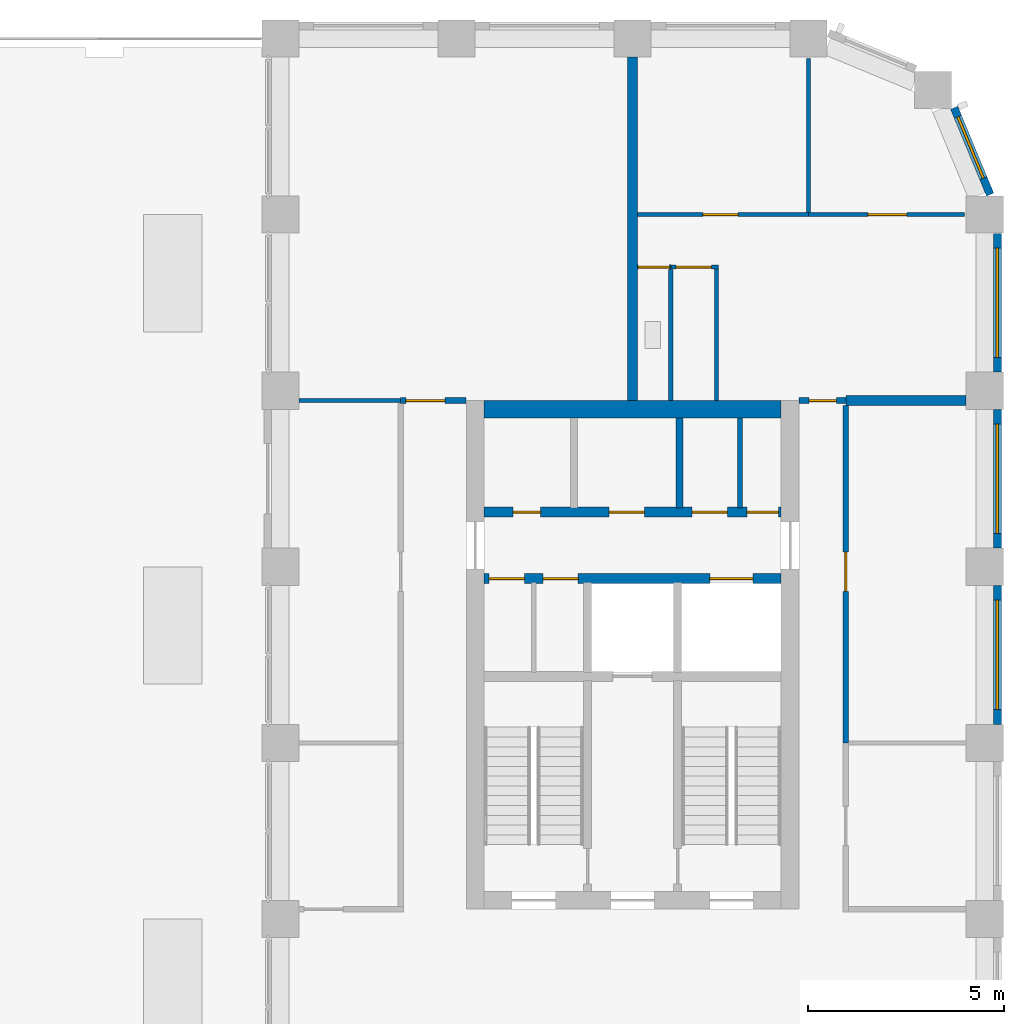
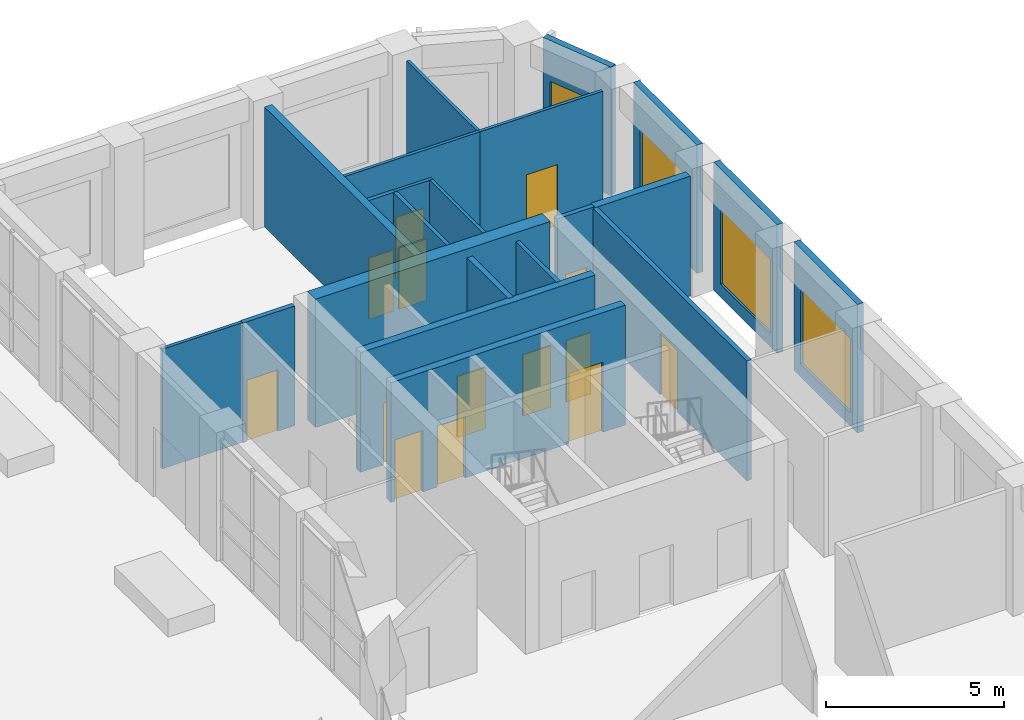
# One storey, part 15 of 20: 22 walls, 14 doors, 4 windows, 18 openings.
"""IFC4 building model written with IfcOpenShell, lengths in metres."""

from ifc_helpers import new_model, si_unit, direction, frame, frame_2d, origin, place, context, subcontext, project, spatial, rectangle, extrude, material, layer, layer_set, type_object, element, fill, save


model = new_model("IFC4")

# Units and contexts
model_context = context("Model", 3, precision=1e-05, world=origin(), true_north=direction((0.0, 1.0)))
body_context = subcontext(model_context, "Body", "Model", "MODEL_VIEW")
ifc_project = project(units=[si_unit("LENGTHUNIT", "METRE"), si_unit("AREAUNIT", "SQUARE_METRE"), si_unit("VOLUMEUNIT", "CUBIC_METRE"), si_unit("PLANEANGLEUNIT", "RADIAN"), si_unit("MASSUNIT", "GRAM", prefix="KILO")], contexts=[model_context])

# Site, building, storey
site_placement = place(None, origin())
site = spatial("IfcSite", under=ifc_project, at=site_placement, CompositionType="ELEMENT")
building_placement = place(site_placement, origin())
building = spatial("IfcBuilding", under=site, at=building_placement, Name="Girih Gate Residences", CompositionType="ELEMENT")
storey_placement = place(building_placement, frame((0.0, 0.0, 146.199951171875)))
storey = spatial("IfcBuildingStorey", under=building, at=storey_placement, Name="L41", CompositionType="ELEMENT", Elevation=146.199951171875)

# Walls
ifc_material_1 = material(Name="Gypsum board on steel studs", Category="steel")
ifc_layer_1 = layer(ifc_material_1, 0.25)
ifc_layer_set_1 = layer_set([ifc_layer_1], Name="Acoustic separating wall 250 mm")
wall_type_1 = type_object("IfcWallType", Name="Acoustic separating wall 250 mm", PredefinedType="PARTITIONING", material=ifc_layer_set_1)
wall_1_placement = place(storey_placement, frame((40.5, 40.25, 0.0), z_axis=(0.0, 0.0, 1.0), x_axis=(0.0, 1.0, 0.0)))
element("IfcWall", 1, at=wall_1_placement, inside=storey, type_object=wall_type_1, Name="L41 partition", PredefinedType="PARTITIONING", context=body_context, shape_type="SweptSolid", body=[
    extrude(rectangle(XDim=8.77490234375, YDim=0.25, at=frame_2d((4.387451171875, 0.0))), origin(), (0.0, 0.0, 1.0), 4.10009765625),
])
wall_2_placement = place(storey_placement, frame((45.949951171875, 40.25, 0.0), z_axis=(0.0, 0.0, 1.0), x_axis=(1.0, 0.0, 0.0)))
element("IfcWall", 2, at=wall_2_placement, inside=storey, type_object=wall_type_1, Name="L41 partition", PredefinedType="PARTITIONING", context=body_context, shape_type="SweptSolid", body=[
    extrude(rectangle(XDim=3.074951171875, YDim=0.25, at=frame_2d((1.53759765625, 0.0))), origin(), (0.0, 0.0, 1.0), 4.10009765625),
])

# Wall, opening, door
ifc_layer_2 = layer(ifc_material_1, 0.14990234375)
ifc_layer_set_2 = layer_set([ifc_layer_2], Name="Compartment wall 150 mm")
wall_type_2 = type_object("IfcWallType", Name="Compartment wall 150 mm", PredefinedType="PARTITIONING", material=ifc_layer_set_2)
wall_3_placement = place(storey_placement, frame((44.75, 40.25, 0.0), z_axis=(0.0, 0.0, 1.0), x_axis=(1.0, 0.0, 0.0)))
wall_3 = element("IfcWall", 3, at=wall_3_placement, inside=storey, type_object=wall_type_2, Name="L41 partition", PredefinedType="PARTITIONING", context=body_context, shape_type="SweptSolid", body=[
    extrude(rectangle(XDim=1.199951171875, YDim=0.14990234375, at=frame_2d((0.60009765625, 0.0))), origin(), (0.0, 0.0, 1.0), 4.10009765625),
])
opening_1_placement = place(wall_3_placement, frame((0.260009765625, 0.0, 0.0)))
opening_1 = element("IfcOpeningElement", 4, at=opening_1_placement, cuts=wall_3, Name="Opening A41-026", PredefinedType="OPENING", context=body_context, shape_type="SweptSolid", body=[
    extrude(rectangle(XDim=0.699951171875, YDim=2.10009765625, at=frame_2d((0.35009765625, 1.050048828125))), frame((0.0, 0.0849609375, 0.0), z_axis=(0.0, -1.0, 0.0), x_axis=(1.0, 0.0, 0.0)), (0.0, 0.0, 1.0), 0.169921875),
])
ifc_material_2 = material(Name="Timber", Category="wood")
door_type_1 = type_object("IfcDoorType", Name="Narrow door 700x2100", OperationType="NOTDEFINED", PredefinedType="DOOR", material=ifc_material_2)
door_1_placement = place(opening_1_placement, origin())
door_1 = element("IfcDoor", 5, at=door_1_placement, inside=storey, type_object=door_type_1, Name="Door A41-026", OperationType="SINGLE_SWING_RIGHT", OverallHeight=2.10009765625, OverallWidth=0.699951171875, PredefinedType="DOOR", context=body_context, shape_type="SweptSolid", body=[
    extrude(rectangle(XDim=0.699951171875, YDim=2.10009765625, at=frame_2d((0.35009765625, 1.050048828125))), frame((0.0, 0.02490234375, 0.0), z_axis=(0.0, -1.0, 0.0), x_axis=(1.0, 0.0, 0.0)), (0.0, 0.0, 1.0), 0.050048828125),
])
fill(opening_1, door_1)

wall_4_placement = place(storey_placement, frame((34.574951171875, 40.25, 0.0), z_axis=(0.0, 0.0, 1.0), x_axis=(1.0, 0.0, 0.0)))
wall_4 = element("IfcWall", 6, at=wall_4_placement, inside=storey, type_object=wall_type_2, Name="L41 partition", PredefinedType="PARTITIONING", context=body_context, shape_type="SweptSolid", body=[
    extrude(rectangle(XDim=1.675048828125, YDim=0.14990234375, at=frame_2d((0.83740234375, 0.0))), origin(), (0.0, 0.0, 1.0), 4.10009765625),
])
opening_2_placement = place(wall_4_placement, frame((0.1298828125, 0.0, 0.0)))
opening_2 = element("IfcOpeningElement", 7, at=opening_2_placement, cuts=wall_4, Name="Opening A41-033", PredefinedType="OPENING", context=body_context, shape_type="SweptSolid", body=[
    extrude(rectangle(XDim=1.0, YDim=2.10009765625, at=frame_2d((0.5, 1.050048828125))), frame((0.0, 0.0849609375, 0.0), z_axis=(0.0, -1.0, 0.0), x_axis=(1.0, 0.0, 0.0)), (0.0, 0.0, 1.0), 0.169921875),
])
ifc_material_3 = material(Name="Timber, fire-rated core", Category="wood")
door_type_2 = type_object("IfcDoorType", Name="Amenity room door 1000x2100 FD30S", OperationType="NOTDEFINED", PredefinedType="DOOR", material=ifc_material_3)
door_2_placement = place(opening_2_placement, origin())
door_2 = element("IfcDoor", 8, at=door_2_placement, inside=storey, type_object=door_type_2, Name="Door A41-033", OperationType="SINGLE_SWING_LEFT", OverallHeight=2.10009765625, OverallWidth=1.0, PredefinedType="DOOR", context=body_context, shape_type="SweptSolid", body=[
    extrude(rectangle(XDim=1.0, YDim=2.10009765625, at=frame_2d((0.5, 1.050048828125))), frame((0.0, 0.02490234375, 0.0), z_axis=(0.0, -1.0, 0.0), x_axis=(1.0, 0.0, 0.0)), (0.0, 0.0, 1.0), 0.050048828125),
])
fill(opening_2, door_2)

wall_5_placement = place(storey_placement, frame((45.949951171875, 40.125, 0.0), z_axis=(0.0, 0.0, 1.0), x_axis=(0.0, -1.0, 0.0)))
wall_5 = element("IfcWall", 9, at=wall_5_placement, inside=storey, type_object=wall_type_2, Name="L41 partition", PredefinedType="PARTITIONING", context=body_context, shape_type="SweptSolid", body=[
    extrude(rectangle(XDim=8.625, YDim=0.14990234375, at=frame_2d((4.3125, 0.0))), origin(), (0.0, 0.0, 1.0), 4.10009765625),
])
opening_3_placement = place(wall_5_placement, frame((3.75, 0.0, 0.0)))
opening_3 = element("IfcOpeningElement", 10, at=opening_3_placement, cuts=wall_5, Name="Opening A41-038", PredefinedType="OPENING", context=body_context, shape_type="SweptSolid", body=[
    extrude(rectangle(XDim=1.0, YDim=2.10009765625, at=frame_2d((0.5, 1.050048828125))), frame((0.0, 0.0849609375, 0.0), z_axis=(0.0, -1.0, 0.0), x_axis=(1.0, 0.0, 0.0)), (0.0, 0.0, 1.0), 0.169921875),
])
door_3_placement = place(opening_3_placement, origin())
door_3 = element("IfcDoor", 11, at=door_3_placement, inside=storey, type_object=door_type_2, Name="Door A41-038", OperationType="SINGLE_SWING_LEFT", OverallHeight=2.10009765625, OverallWidth=1.0, PredefinedType="DOOR", context=body_context, shape_type="SweptSolid", body=[
    extrude(rectangle(XDim=1.0, YDim=2.10009765625, at=frame_2d((0.5, 1.050048828125))), frame((0.0, 0.02490234375, 0.0), z_axis=(0.0, -1.0, 0.0), x_axis=(1.0, 0.0, 0.0)), (0.0, 0.0, 1.0), 0.050048828125),
])
fill(opening_3, door_3)

# Wall
ifc_material_4 = material(Name="Concrete C60/75", Category="concrete")
ifc_layer_3 = layer(ifc_material_4, 0.449951171875)
ifc_layer_set_3 = layer_set([ifc_layer_3], Name="Core wall RC 450 Concrete C60/75")
wall_type_3 = type_object("IfcWallType", Name="Core wall RC 450 Concrete C60/75", PredefinedType="SOLIDWALL", material=ifc_layer_set_3)
wall_6_placement = place(storey_placement, frame((36.699951171875, 40.02490234375, 0.0), z_axis=(0.0, 0.0, 1.0), x_axis=(1.0, 0.0, 0.0)))
element("IfcWall", 12, at=wall_6_placement, inside=storey, type_object=wall_type_3, Name="Core wall E-N L41", PredefinedType="SOLIDWALL", context=body_context, shape_type="SweptSolid", body=[
    extrude(rectangle(XDim=7.60009765625, YDim=0.449951171875, at=frame_2d((3.800048828125, 0.0))), origin(), (0.0, 0.0, 1.0), 4.400146484375),
])

# Wall, openings, doors
ifc_material_5 = material(Name="Concrete C40/50", Category="concrete")
ifc_layer_4 = layer(ifc_material_5, 0.25)
ifc_layer_set_4 = layer_set([ifc_layer_4], Name="Lift shaft wall 250")
wall_type_4 = type_object("IfcWallType", Name="Lift shaft wall 250", PredefinedType="SOLIDWALL", material=ifc_layer_set_4)
wall_7_placement = place(storey_placement, frame((36.699951171875, 35.699951171875, 0.0), z_axis=(0.0, 0.0, 1.0), x_axis=(1.0, 0.0, 0.0)))
wall_7 = element("IfcWall", 13, at=wall_7_placement, inside=storey, type_object=wall_type_4, Name="L41 E core wall H2", PredefinedType="SOLIDWALL", context=body_context, shape_type="SweptSolid", body=[
    extrude(rectangle(XDim=7.60009765625, YDim=0.25, at=frame_2d((3.800048828125, 0.0))), origin(), (0.0, 0.0, 1.0), 4.10009765625),
])
opening_4_placement = place(wall_7_placement, frame((5.77490234375, 0.0, 0.0)))
opening_4 = element("IfcOpeningElement", 14, at=opening_4_placement, cuts=wall_7, Name="Opening D-L41-E-003", PredefinedType="OPENING", context=body_context, shape_type="SweptSolid", body=[
    extrude(rectangle(XDim=1.10009765625, YDim=2.39990234375, at=frame_2d((0.550048828125, 1.199951171875))), frame((0.0, 0.135009765625, 0.0), z_axis=(0.0, -1.0, 0.0), x_axis=(1.0, 0.0, 0.0)), (0.0, 0.0, 1.0), 0.27001953125),
])
opening_5_placement = place(wall_7_placement, frame((1.512451171875, 0.0, 0.0)))
opening_5 = element("IfcOpeningElement", 15, at=opening_5_placement, cuts=wall_7, Name="Opening D-L41-E-006", PredefinedType="OPENING", context=body_context, shape_type="SweptSolid", body=[
    extrude(rectangle(XDim=0.89990234375, YDim=2.10009765625, at=frame_2d((0.449951171875, 1.050048828125))), frame((0.0, 0.135009765625, 0.0), z_axis=(0.0, -1.0, 0.0), x_axis=(1.0, 0.0, 0.0)), (0.0, 0.0, 1.0), 0.27001953125),
])
opening_6_placement = place(wall_7_placement, frame((0.137451171875, 0.0, 0.0)))
opening_6 = element("IfcOpeningElement", 16, at=opening_6_placement, cuts=wall_7, Name="Opening D-L41-E-007", PredefinedType="OPENING", context=body_context, shape_type="SweptSolid", body=[
    extrude(rectangle(XDim=0.89990234375, YDim=2.10009765625, at=frame_2d((0.449951171875, 1.050048828125))), frame((0.0, 0.135009765625, 0.0), z_axis=(0.0, -1.0, 0.0), x_axis=(1.0, 0.0, 0.0)), (0.0, 0.0, 1.0), 0.27001953125),
])
ifc_material_6 = material(Name="Painted steel, fire-resisting", Category="steel")
door_type_3 = type_object("IfcDoorType", Name="Fire door 900x2100", OperationType="SINGLE_SWING_LEFT", PredefinedType="DOOR", material=ifc_material_6)
door_4_placement = place(opening_5_placement, origin())
door_4 = element("IfcDoor", 17, at=door_4_placement, inside=storey, type_object=door_type_3, Name="L41 E linen store door", OperationType="SINGLE_SWING_LEFT", OverallHeight=2.10009765625, OverallWidth=0.89990234375, PredefinedType="DOOR", context=body_context, shape_type="SweptSolid", body=[
    extrude(rectangle(XDim=0.89990234375, YDim=2.10009765625, at=frame_2d((0.449951171875, 1.050048828125))), frame((0.0, 0.02490234375, 0.0), z_axis=(0.0, -1.0, 0.0), x_axis=(1.0, 0.0, 0.0)), (0.0, 0.0, 1.0), 0.050048828125),
])
fill(opening_5, door_4)
door_5_placement = place(opening_6_placement, origin())
door_5 = element("IfcDoor", 18, at=door_5_placement, inside=storey, type_object=door_type_3, Name="L41 E store door", OperationType="SINGLE_SWING_LEFT", OverallHeight=2.10009765625, OverallWidth=0.89990234375, PredefinedType="DOOR", context=body_context, shape_type="SweptSolid", body=[
    extrude(rectangle(XDim=0.89990234375, YDim=2.10009765625, at=frame_2d((0.449951171875, 1.050048828125))), frame((0.0, 0.02490234375, 0.0), z_axis=(0.0, -1.0, 0.0), x_axis=(1.0, 0.0, 0.0)), (0.0, 0.0, 1.0), 0.050048828125),
])
fill(opening_6, door_5)
ifc_material_7 = material(Name="Stainless steel", Category="steel")
door_type_4 = type_object("IfcDoorType", Name="Lift landing door 1100x2400", OperationType="SLIDING_TO_LEFT", PredefinedType="DOOR", material=ifc_material_7)
door_6_placement = place(opening_4_placement, origin())
door_6 = element("IfcDoor", 19, at=door_6_placement, inside=storey, type_object=door_type_4, Name="L41 lift HR-E1 landing door", OperationType="SLIDING_TO_LEFT", OverallHeight=2.39990234375, OverallWidth=1.10009765625, PredefinedType="DOOR", context=body_context, shape_type="SweptSolid", body=[
    extrude(rectangle(XDim=1.10009765625, YDim=2.39990234375, at=frame_2d((0.550048828125, 1.199951171875))), frame((0.0, 0.02490234375, 0.0), z_axis=(0.0, -1.0, 0.0), x_axis=(1.0, 0.0, 0.0)), (0.0, 0.0, 1.0), 0.050048828125),
])
fill(opening_4, door_6)

wall_8_placement = place(storey_placement, frame((36.699951171875, 37.39990234375, 0.0), z_axis=(0.0, 0.0, 1.0), x_axis=(1.0, 0.0, 0.0)))
wall_8 = element("IfcWall", 20, at=wall_8_placement, inside=storey, type_object=wall_type_4, Name="L41 E core wall H3", PredefinedType="SOLIDWALL", context=body_context, shape_type="SweptSolid", body=[
    extrude(rectangle(XDim=7.60009765625, YDim=0.25, at=frame_2d((3.800048828125, 0.0))), origin(), (0.0, 0.0, 1.0), 4.10009765625),
])
opening_7_placement = place(wall_8_placement, frame((0.75, 0.0, 0.0)))
opening_7 = element("IfcOpeningElement", 21, at=opening_7_placement, cuts=wall_8, Name="Opening D-L41-E-005", PredefinedType="OPENING", context=body_context, shape_type="SweptSolid", body=[
    extrude(rectangle(XDim=0.699951171875, YDim=2.10009765625, at=frame_2d((0.35009765625, 1.050048828125))), frame((0.0, 0.135009765625, 0.0), z_axis=(0.0, -1.0, 0.0), x_axis=(1.0, 0.0, 0.0)), (0.0, 0.0, 1.0), 0.27001953125),
])
opening_8_placement = place(wall_8_placement, frame((6.72509765625, 0.0, 0.0)))
opening_8 = element("IfcOpeningElement", 22, at=opening_8_placement, cuts=wall_8, Name="Opening D-L41-E-008", PredefinedType="OPENING", context=body_context, shape_type="SweptSolid", body=[
    extrude(rectangle(XDim=0.800048828125, YDim=2.10009765625, at=frame_2d((0.39990234375, 1.050048828125))), frame((0.0, 0.135009765625, 0.0), z_axis=(0.0, -1.0, 0.0), x_axis=(1.0, 0.0, 0.0)), (0.0, 0.0, 1.0), 0.27001953125),
])
opening_9_placement = place(wall_8_placement, frame((5.324951171875, 0.0, 0.0)))
opening_9 = element("IfcOpeningElement", 23, at=opening_9_placement, cuts=wall_8, Name="Opening D-L41-E-009", PredefinedType="OPENING", context=body_context, shape_type="SweptSolid", body=[
    extrude(rectangle(XDim=0.89990234375, YDim=2.10009765625, at=frame_2d((0.449951171875, 1.050048828125))), frame((0.0, 0.135009765625, 0.0), z_axis=(0.0, -1.0, 0.0), x_axis=(1.0, 0.0, 0.0)), (0.0, 0.0, 1.0), 0.27001953125),
])
opening_10_placement = place(wall_8_placement, frame((3.199951171875, 0.0, 0.0)))
opening_10 = element("IfcOpeningElement", 24, at=opening_10_placement, cuts=wall_8, Name="Opening D-L41-E-010", PredefinedType="OPENING", context=body_context, shape_type="SweptSolid", body=[
    extrude(rectangle(XDim=0.89990234375, YDim=2.10009765625, at=frame_2d((0.449951171875, 1.050048828125))), frame((0.0, 0.135009765625, 0.0), z_axis=(0.0, -1.0, 0.0), x_axis=(1.0, 0.0, 0.0)), (0.0, 0.0, 1.0), 0.27001953125),
])
door_type_5 = type_object("IfcDoorType", Name="Fire door 800x2100", OperationType="SINGLE_SWING_LEFT", PredefinedType="DOOR", material=ifc_material_6)
door_7_placement = place(opening_8_placement, origin())
door_7 = element("IfcDoor", 25, at=door_7_placement, inside=storey, type_object=door_type_5, Name="L41 E housekeeping store door", OperationType="SINGLE_SWING_LEFT", OverallHeight=2.10009765625, OverallWidth=0.800048828125, PredefinedType="DOOR", context=body_context, shape_type="SweptSolid", body=[
    extrude(rectangle(XDim=0.800048828125, YDim=2.10009765625, at=frame_2d((0.39990234375, 1.050048828125))), frame((0.0, 0.02490234375, 0.0), z_axis=(0.0, -1.0, 0.0), x_axis=(1.0, 0.0, 0.0)), (0.0, 0.0, 1.0), 0.050048828125),
])
fill(opening_8, door_7)
door_8_placement = place(opening_9_placement, origin())
door_8 = element("IfcDoor", 26, at=door_8_placement, inside=storey, type_object=door_type_3, Name="L41 E refuse store door", OperationType="SINGLE_SWING_LEFT", OverallHeight=2.10009765625, OverallWidth=0.89990234375, PredefinedType="DOOR", context=body_context, shape_type="SweptSolid", body=[
    extrude(rectangle(XDim=0.89990234375, YDim=2.10009765625, at=frame_2d((0.449951171875, 1.050048828125))), frame((0.0, 0.02490234375, 0.0), z_axis=(0.0, -1.0, 0.0), x_axis=(1.0, 0.0, 0.0)), (0.0, 0.0, 1.0), 0.050048828125),
])
fill(opening_9, door_8)
door_9_placement = place(opening_10_placement, origin())
door_9 = element("IfcDoor", 27, at=door_9_placement, inside=storey, type_object=door_type_3, Name="L41 E it room door", OperationType="SINGLE_SWING_LEFT", OverallHeight=2.10009765625, OverallWidth=0.89990234375, PredefinedType="DOOR", context=body_context, shape_type="SweptSolid", body=[
    extrude(rectangle(XDim=0.89990234375, YDim=2.10009765625, at=frame_2d((0.449951171875, 1.050048828125))), frame((0.0, 0.02490234375, 0.0), z_axis=(0.0, -1.0, 0.0), x_axis=(1.0, 0.0, 0.0)), (0.0, 0.0, 1.0), 0.050048828125),
])
fill(opening_10, door_9)
door_type_6 = type_object("IfcDoorType", Name="Riser access door 700x2100", OperationType="SINGLE_SWING_LEFT", PredefinedType="DOOR", material=ifc_material_6)
door_10_placement = place(opening_7_placement, origin())
door_10 = element("IfcDoor", 28, at=door_10_placement, inside=storey, type_object=door_type_6, Name="L41 E riser room door", OperationType="SINGLE_SWING_LEFT", OverallHeight=2.10009765625, OverallWidth=0.699951171875, PredefinedType="DOOR", context=body_context, shape_type="SweptSolid", body=[
    extrude(rectangle(XDim=0.699951171875, YDim=2.10009765625, at=frame_2d((0.35009765625, 1.050048828125))), frame((0.0, 0.02490234375, 0.0), z_axis=(0.0, -1.0, 0.0), x_axis=(1.0, 0.0, 0.0)), (0.0, 0.0, 1.0), 0.050048828125),
])
fill(opening_7, door_10)

# Wall, opening, door
ifc_layer_5 = layer(ifc_material_1, 0.10009765625)
ifc_layer_set_5 = layer_set([ifc_layer_5], Name="Partition 100 mm")
wall_type_5 = type_object("IfcWallType", Name="Partition 100 mm", PredefinedType="PARTITIONING", material=ifc_layer_set_5)
wall_9_placement = place(storey_placement, frame((40.625, 45.0, 0.0), z_axis=(0.0, 0.0, 1.0), x_axis=(1.0, 0.0, 0.0)))
wall_9 = element("IfcWall", 29, at=wall_9_placement, inside=storey, type_object=wall_type_5, Name="L41 partition", PredefinedType="PARTITIONING", context=body_context, shape_type="SweptSolid", body=[
    extrude(rectangle(XDim=4.375, YDim=0.10009765625, at=frame_2d((2.1875, 0.0))), origin(), (0.0, 0.0, 1.0), 4.10009765625),
])
opening_11_placement = place(wall_9_placement, frame((1.675048828125, 0.0, 0.0)))
opening_11 = element("IfcOpeningElement", 30, at=opening_11_placement, cuts=wall_9, Name="Opening A41-023", PredefinedType="OPENING", context=body_context, shape_type="SweptSolid", body=[
    extrude(rectangle(XDim=0.89990234375, YDim=2.10009765625, at=frame_2d((0.449951171875, 1.050048828125))), frame((0.0, 0.06005859375, 0.0), z_axis=(0.0, -1.0, 0.0), x_axis=(1.0, 0.0, 0.0)), (0.0, 0.0, 1.0), 0.1201171875),
])
door_type_7 = type_object("IfcDoorType", Name="Bedroom door 900x2100", OperationType="NOTDEFINED", PredefinedType="DOOR", material=ifc_material_2)
door_11_placement = place(opening_11_placement, origin())
door_11 = element("IfcDoor", 31, at=door_11_placement, inside=storey, type_object=door_type_7, Name="Door A41-023", OperationType="SINGLE_SWING_LEFT", OverallHeight=2.10009765625, OverallWidth=0.89990234375, PredefinedType="DOOR", context=body_context, shape_type="SweptSolid", body=[
    extrude(rectangle(XDim=0.89990234375, YDim=2.10009765625, at=frame_2d((0.449951171875, 1.050048828125))), frame((0.0, 0.02490234375, 0.0), z_axis=(0.0, -1.0, 0.0), x_axis=(1.0, 0.0, 0.0)), (0.0, 0.0, 1.0), 0.050048828125),
])
fill(opening_11, door_11)

# Walls
wall_10_placement = place(storey_placement, frame((45.0, 45.050048828125, 0.0), z_axis=(0.0, 0.0, 1.0), x_axis=(0.0, 1.0, 0.0)))
element("IfcWall", 32, at=wall_10_placement, inside=storey, type_object=wall_type_5, Name="L41 partition", PredefinedType="PARTITIONING", context=body_context, shape_type="SweptSolid", body=[
    extrude(rectangle(XDim=3.935791015625, YDim=0.10009765625, at=frame_2d((1.9677734375, 0.0))), origin(), (0.0, 0.0, 1.0), 4.10009765625),
])
wall_11_placement = place(storey_placement, frame((42.64990234375, 40.25, 0.0), z_axis=(0.0, 0.0, 1.0), x_axis=(0.0, 1.0, 0.0)))
element("IfcWall", 33, at=wall_11_placement, inside=storey, type_object=wall_type_5, Name="L41 partition", PredefinedType="PARTITIONING", context=body_context, shape_type="SweptSolid", body=[
    extrude(rectangle(XDim=3.360107421875, YDim=0.10009765625, at=frame_2d((1.68017578125, 0.0))), origin(), (0.0, 0.0, 1.0), 4.10009765625),
])

# Wall, opening, door
wall_12_placement = place(storey_placement, frame((42.699951171875, 43.659912109375, 0.0), z_axis=(0.0, 0.0, 1.0), x_axis=(-1.0, 0.0, 0.0)))
wall_12 = element("IfcWall", 34, at=wall_12_placement, inside=storey, type_object=wall_type_5, Name="L41 partition", PredefinedType="PARTITIONING", context=body_context, shape_type="SweptSolid", body=[
    extrude(rectangle(XDim=1.22265625, YDim=0.10009765625, at=frame_2d((0.611328125, 0.0))), origin(), (0.0, 0.0, 1.0), 4.10009765625),
])
opening_12_placement = place(wall_12_placement, frame((0.186279296875, 0.0, 0.0)))
opening_12 = element("IfcOpeningElement", 35, at=opening_12_placement, cuts=wall_12, Name="Opening A41-024", PredefinedType="OPENING", context=body_context, shape_type="SweptSolid", body=[
    extrude(rectangle(XDim=0.89990234375, YDim=2.10009765625, at=frame_2d((0.449951171875, 1.050048828125))), frame((0.0, 0.06005859375, 0.0), z_axis=(0.0, -1.0, 0.0), x_axis=(1.0, 0.0, 0.0)), (0.0, 0.0, 1.0), 0.1201171875),
])
door_type_8 = type_object("IfcDoorType", Name="Kitchen door 900x2100", OperationType="NOTDEFINED", PredefinedType="DOOR", material=ifc_material_2)
door_12_placement = place(opening_12_placement, origin())
door_12 = element("IfcDoor", 36, at=door_12_placement, inside=storey, type_object=door_type_8, Name="Door A41-024", OperationType="SINGLE_SWING_RIGHT", OverallHeight=2.10009765625, OverallWidth=0.89990234375, PredefinedType="DOOR", context=body_context, shape_type="SweptSolid", body=[
    extrude(rectangle(XDim=0.89990234375, YDim=2.10009765625, at=frame_2d((0.449951171875, 1.050048828125))), frame((0.0, 0.02490234375, 0.0), z_axis=(0.0, -1.0, 0.0), x_axis=(1.0, 0.0, 0.0)), (0.0, 0.0, 1.0), 0.050048828125),
])
fill(opening_12, door_12)

wall_13_placement = place(storey_placement, frame((45.0, 45.0, 0.0), z_axis=(0.0, 0.0, 1.0), x_axis=(1.0, 0.0, 0.0)))
wall_13 = element("IfcWall", 37, at=wall_13_placement, inside=storey, type_object=wall_type_5, Name="L41 partition", PredefinedType="PARTITIONING", context=body_context, shape_type="SweptSolid", body=[
    extrude(rectangle(XDim=3.98583984375, YDim=0.10009765625, at=frame_2d((1.992919921875, 0.0))), origin(), (0.0, 0.0, 1.0), 4.10009765625),
])
opening_13_placement = place(wall_13_placement, frame((1.512451171875, 0.0, 0.0)))
opening_13 = element("IfcOpeningElement", 38, at=opening_13_placement, cuts=wall_13, Name="Opening A41-025", PredefinedType="OPENING", context=body_context, shape_type="SweptSolid", body=[
    extrude(rectangle(XDim=1.0, YDim=2.10009765625, at=frame_2d((0.5, 1.050048828125))), frame((0.0, 0.06005859375, 0.0), z_axis=(0.0, -1.0, 0.0), x_axis=(1.0, 0.0, 0.0)), (0.0, 0.0, 1.0), 0.1201171875),
])
door_type_9 = type_object("IfcDoorType", Name="Living room door 1000x2100", OperationType="NOTDEFINED", PredefinedType="DOOR", material=ifc_material_2)
door_13_placement = place(opening_13_placement, origin())
door_13 = element("IfcDoor", 39, at=door_13_placement, inside=storey, type_object=door_type_9, Name="Door A41-025", OperationType="SINGLE_SWING_RIGHT", OverallHeight=2.10009765625, OverallWidth=1.0, PredefinedType="DOOR", context=body_context, shape_type="SweptSolid", body=[
    extrude(rectangle(XDim=1.0, YDim=2.10009765625, at=frame_2d((0.5, 1.050048828125))), frame((0.0, 0.02490234375, 0.0), z_axis=(0.0, -1.0, 0.0), x_axis=(1.0, 0.0, 0.0)), (0.0, 0.0, 1.0), 0.050048828125),
])
fill(opening_13, door_13)

# Wall
wall_14_placement = place(storey_placement, frame((31.97509765625, 40.25, 0.0), z_axis=(0.0, 0.0, 1.0), x_axis=(1.0, 0.0, 0.0)))
element("IfcWall", 40, at=wall_14_placement, inside=storey, type_object=wall_type_5, Name="L41 partition", PredefinedType="PARTITIONING", context=body_context, shape_type="SweptSolid", body=[
    extrude(rectangle(XDim=2.599853515625, YDim=0.10009765625, at=frame_2d((1.2998046875, 0.0))), origin(), (0.0, 0.0, 1.0), 4.10009765625),
])

# Wall, opening, window
ifc_material_8 = material(Name="Precast concrete C50/60", Category="concrete")
ifc_layer_6 = layer(ifc_material_8, 0.06005859375, Name="Outer leaf")
ifc_material_9 = material(Name="Rigid PIR insulation")
ifc_layer_7 = layer(ifc_material_9, 0.090087890625, Name="Insulation")
ifc_material_10 = material(Name="Precast concrete C40/50", Category="concrete")
ifc_layer_8 = layer(ifc_material_10, 0.050048828125, Name="Inner leaf")
ifc_layer_set_6 = layer_set([ifc_layer_6, ifc_layer_7, ifc_layer_8], Name="Precast concrete C50/60 external wall 200")
wall_type_6 = type_object("IfcWallType", Name="Precast concrete C50/60 external wall 200", PredefinedType="SOLIDWALL", material=ifc_layer_set_6)
wall_15_placement = place(storey_placement, frame((49.824951171875, 35.52490234375, 0.0), z_axis=(0.0, 0.0, 1.0), x_axis=(0.0, -1.0, 0.0)))
wall_15 = element("IfcWall", 41, at=wall_15_placement, inside=storey, type_object=wall_type_6, Name="External wall E0495_0045.6", PredefinedType="SOLIDWALL", context=body_context, shape_type="SweptSolid", body=[
    extrude(rectangle(XDim=3.5498046875, YDim=0.199951171875, at=frame_2d((1.77490234375, 0.0))), origin(), (0.0, 0.0, 1.0), 4.400146484375),
])
opening_14_placement = place(wall_15_placement, frame((0.375, 0.0, 0.449951171875)))
opening_14 = element("IfcOpeningElement", 42, at=opening_14_placement, cuts=wall_15, Name="Opening W-6A", PredefinedType="OPENING", context=body_context, shape_type="SweptSolid", body=[
    extrude(rectangle(XDim=2.800048828125, YDim=2.550048828125, at=frame_2d((1.39990234375, 1.27490234375))), frame((0.0, 0.10986328125, 0.0), z_axis=(0.0, -1.0, 0.0), x_axis=(1.0, 0.0, 0.0)), (0.0, 0.0, 1.0), 0.219970703125),
])
ifc_material_11 = material(Name="Double glazing in aluminium frame", Category="aluminium")
window_type_1 = type_object("IfcWindowType", Name="Window W-6A 2800x2550", PartitioningType="SINGLE_PANEL", PredefinedType="WINDOW", material=ifc_material_11)
window_1_placement = place(opening_14_placement, origin())
window_1 = element("IfcWindow", 43, at=window_1_placement, inside=storey, type_object=window_type_1, Name="Window W-6A E0495_0045.6", OverallHeight=2.550048828125, OverallWidth=2.800048828125, PartitioningType="SINGLE_PANEL", PredefinedType="WINDOW", context=body_context, shape_type="SweptSolid", body=[
    extrude(rectangle(XDim=2.800048828125, YDim=2.550048828125, at=frame_2d((1.39990234375, 1.27490234375))), frame((0.0, 0.030029296875, 0.0), z_axis=(0.0, -1.0, 0.0), x_axis=(1.0, 0.0, 0.0)), (0.0, 0.0, 1.0), 0.06005859375),
])
fill(opening_14, window_1)

wall_16_placement = place(storey_placement, frame((49.824951171875, 40.02490234375, 0.0), z_axis=(0.0, 0.0, 1.0), x_axis=(0.0, -1.0, 0.0)))
wall_16 = element("IfcWall", 44, at=wall_16_placement, inside=storey, type_object=wall_type_6, Name="External wall E0495_0045.7", PredefinedType="SOLIDWALL", context=body_context, shape_type="SweptSolid", body=[
    extrude(rectangle(XDim=3.5498046875, YDim=0.199951171875, at=frame_2d((1.77490234375, 0.0))), origin(), (0.0, 0.0, 1.0), 4.400146484375),
])
opening_15_placement = place(wall_16_placement, frame((0.375, 0.0, 0.449951171875)))
opening_15 = element("IfcOpeningElement", 45, at=opening_15_placement, cuts=wall_16, Name="Opening W-6A", PredefinedType="OPENING", context=body_context, shape_type="SweptSolid", body=[
    extrude(rectangle(XDim=2.800048828125, YDim=2.550048828125, at=frame_2d((1.39990234375, 1.27490234375))), frame((0.0, 0.10986328125, 0.0), z_axis=(0.0, -1.0, 0.0), x_axis=(1.0, 0.0, 0.0)), (0.0, 0.0, 1.0), 0.219970703125),
])
window_2_placement = place(opening_15_placement, origin())
window_2 = element("IfcWindow", 46, at=window_2_placement, inside=storey, type_object=window_type_1, Name="Window W-6A E0495_0045.7", OverallHeight=2.550048828125, OverallWidth=2.800048828125, PartitioningType="SINGLE_PANEL", PredefinedType="WINDOW", context=body_context, shape_type="SweptSolid", body=[
    extrude(rectangle(XDim=2.800048828125, YDim=2.550048828125, at=frame_2d((1.39990234375, 1.27490234375))), frame((0.0, 0.030029296875, 0.0), z_axis=(0.0, -1.0, 0.0), x_axis=(1.0, 0.0, 0.0)), (0.0, 0.0, 1.0), 0.06005859375),
])
fill(opening_15, window_2)

wall_17_placement = place(storey_placement, frame((49.824951171875, 44.52490234375, 0.0), z_axis=(0.0, 0.0, 1.0), x_axis=(0.0, -1.0, 0.0)))
wall_17 = element("IfcWall", 47, at=wall_17_placement, inside=storey, type_object=wall_type_6, Name="External wall E0495_0045.8", PredefinedType="SOLIDWALL", context=body_context, shape_type="SweptSolid", body=[
    extrude(rectangle(XDim=3.5498046875, YDim=0.199951171875, at=frame_2d((1.77490234375, 0.0))), origin(), (0.0, 0.0, 1.0), 4.400146484375),
])
opening_16_placement = place(wall_17_placement, frame((0.375, 0.0, 0.449951171875)))
opening_16 = element("IfcOpeningElement", 48, at=opening_16_placement, cuts=wall_17, Name="Opening W-6A", PredefinedType="OPENING", context=body_context, shape_type="SweptSolid", body=[
    extrude(rectangle(XDim=2.800048828125, YDim=2.550048828125, at=frame_2d((1.39990234375, 1.27490234375))), frame((0.0, 0.10986328125, 0.0), z_axis=(0.0, -1.0, 0.0), x_axis=(1.0, 0.0, 0.0)), (0.0, 0.0, 1.0), 0.219970703125),
])
window_3_placement = place(opening_16_placement, origin())
window_3 = element("IfcWindow", 49, at=window_3_placement, inside=storey, type_object=window_type_1, Name="Window W-6A E0495_0045.8", OverallHeight=2.550048828125, OverallWidth=2.800048828125, PartitioningType="SINGLE_PANEL", PredefinedType="WINDOW", context=body_context, shape_type="SweptSolid", body=[
    extrude(rectangle(XDim=2.800048828125, YDim=2.550048828125, at=frame_2d((1.39990234375, 1.27490234375))), frame((0.0, 0.030029296875, 0.0), z_axis=(0.0, -1.0, 0.0), x_axis=(1.0, 0.0, 0.0)), (0.0, 0.0, 1.0), 0.06005859375),
])
fill(opening_16, window_3)

wall_18_placement = place(storey_placement, frame((48.7197265625, 47.73291015625, 0.0), z_axis=(0.0, 0.0, 1.0), x_axis=(0.382680855588, -0.923880599843, 0.0)))
wall_18 = element("IfcWall", 50, at=wall_18_placement, inside=storey, type_object=wall_type_6, Name="External wall NE0495_0450.0", PredefinedType="SOLIDWALL", context=body_context, shape_type="SweptSolid", body=[
    extrude(rectangle(XDim=2.402587890625, YDim=0.199951171875, at=frame_2d((1.201171875, 0.0))), origin(), (0.0, 0.0, 1.0), 4.400146484375),
])
opening_17_placement = place(wall_18_placement, frame((0.25146484375, 0.0, 0.449951171875)))
opening_17 = element("IfcOpeningElement", 51, at=opening_17_placement, cuts=wall_18, Name="Opening W-2F", PredefinedType="OPENING", context=body_context, shape_type="SweptSolid", body=[
    extrude(rectangle(XDim=1.699951171875, YDim=2.550048828125, at=frame_2d((0.85009765625, 1.27490234375))), frame((0.0, 0.10986328125, 0.0), z_axis=(0.0, -1.0, 0.0), x_axis=(1.0, 0.0, 0.0)), (0.0, 0.0, 1.0), 0.219970703125),
])
window_type_2 = type_object("IfcWindowType", Name="Window W-2F 1700x2550", PartitioningType="SINGLE_PANEL", PredefinedType="WINDOW", material=ifc_material_11)
window_4_placement = place(opening_17_placement, origin())
window_4 = element("IfcWindow", 52, at=window_4_placement, inside=storey, type_object=window_type_2, Name="Window W-2F NE0495_0450.0", OverallHeight=2.550048828125, OverallWidth=1.699951171875, PartitioningType="SINGLE_PANEL", PredefinedType="WINDOW", context=body_context, shape_type="SweptSolid", body=[
    extrude(rectangle(XDim=1.699951171875, YDim=2.550048828125, at=frame_2d((0.85009765625, 1.27490234375))), frame((0.0, 0.030029296875, 0.0), z_axis=(0.0, -1.0, 0.0), x_axis=(1.0, 0.0, 0.0)), (0.0, 0.0, 1.0), 0.06005859375),
])
fill(opening_17, window_4)

# Walls
ifc_layer_9 = layer(ifc_material_5, 0.175048828125)
ifc_layer_set_7 = layer_set([ifc_layer_9], Name="Riser shaft wall 175")
wall_type_7 = type_object("IfcWallType", Name="Riser shaft wall 175", PredefinedType="SOLIDWALL", material=ifc_layer_set_7)
wall_19_placement = place(storey_placement, frame((41.699951171875, 37.5, 0.0), z_axis=(0.0, 0.0, 1.0), x_axis=(0.0, 1.0, 0.0)))
element("IfcWall", 53, at=wall_19_placement, inside=storey, type_object=wall_type_7, Name="L41 E core wall V1c", PredefinedType="SOLIDWALL", context=body_context, shape_type="SweptSolid", body=[
    extrude(rectangle(XDim=2.300048828125, YDim=0.175048828125, at=frame_2d((1.14990234375, 0.0))), origin(), (0.0, 0.0, 1.0), 4.10009765625),
])
ifc_material_12 = material(Name="Calcium silicate blockwork", Category="masonry")
ifc_layer_10 = layer(ifc_material_12, 0.125)
ifc_layer_set_8 = layer_set([ifc_layer_10], Name="Store partition 125")
wall_type_8 = type_object("IfcWallType", Name="Store partition 125", PredefinedType="PARTITIONING", material=ifc_layer_set_8)
wall_20_placement = place(storey_placement, frame((43.25, 37.5, 0.0), z_axis=(0.0, 0.0, 1.0), x_axis=(0.0, 1.0, 0.0)))
element("IfcWall", 54, at=wall_20_placement, inside=storey, type_object=wall_type_8, Name="L41 E core wall SLR1", PredefinedType="PARTITIONING", context=body_context, shape_type="SweptSolid", body=[
    extrude(rectangle(XDim=2.300048828125, YDim=0.125, at=frame_2d((1.14990234375, 0.0))), origin(), (0.0, 0.0, 1.0), 4.10009765625),
])

# Wall, opening, door
ifc_layer_11 = layer(ifc_material_1, 0.125)
ifc_layer_set_9 = layer_set([ifc_layer_11], Name="Wet room wall 125 mm")
wall_type_9 = type_object("IfcWallType", Name="Wet room wall 125 mm", PredefinedType="PARTITIONING", material=ifc_layer_set_9)
wall_21_placement = place(storey_placement, frame((41.477294921875, 43.659912109375, 0.0), z_axis=(0.0, 0.0, 1.0), x_axis=(-1.0, 0.0, 0.0)))
wall_21 = element("IfcWall", 55, at=wall_21_placement, inside=storey, type_object=wall_type_9, Name="L41 partition", PredefinedType="PARTITIONING", context=body_context, shape_type="SweptSolid", body=[
    extrude(rectangle(XDim=0.852294921875, YDim=0.125, at=frame_2d((0.42626953125, 0.0))), origin(), (0.0, 0.0, 1.0), 4.10009765625),
])
opening_18_placement = place(wall_21_placement, frame((0.0322265625, 0.0, 0.0)))
opening_18 = element("IfcOpeningElement", 56, at=opening_18_placement, cuts=wall_21, Name="Opening A41-022", PredefinedType="OPENING", context=body_context, shape_type="SweptSolid", body=[
    extrude(rectangle(XDim=0.800048828125, YDim=2.10009765625, at=frame_2d((0.39990234375, 1.050048828125))), frame((0.0, 0.072509765625, 0.0), z_axis=(0.0, -1.0, 0.0), x_axis=(1.0, 0.0, 0.0)), (0.0, 0.0, 1.0), 0.14501953125),
])
door_type_10 = type_object("IfcDoorType", Name="Bathroom door 800x2100", OperationType="NOTDEFINED", PredefinedType="DOOR", material=ifc_material_2)
door_14_placement = place(opening_18_placement, origin())
door_14 = element("IfcDoor", 57, at=door_14_placement, inside=storey, type_object=door_type_10, Name="Door A41-022", OperationType="SINGLE_SWING_RIGHT", OverallHeight=2.10009765625, OverallWidth=0.800048828125, PredefinedType="DOOR", context=body_context, shape_type="SweptSolid", body=[
    extrude(rectangle(XDim=0.800048828125, YDim=2.10009765625, at=frame_2d((0.39990234375, 1.050048828125))), frame((0.0, 0.02490234375, 0.0), z_axis=(0.0, -1.0, 0.0), x_axis=(1.0, 0.0, 0.0)), (0.0, 0.0, 1.0), 0.050048828125),
])
fill(opening_18, door_14)

# Wall
wall_22_placement = place(storey_placement, frame((41.47705078125, 40.25, 0.0), z_axis=(0.0, 0.0, 1.0), x_axis=(0.0, 1.0, 0.0)))
element("IfcWall", 58, at=wall_22_placement, inside=storey, type_object=wall_type_9, Name="L41 partition", PredefinedType="PARTITIONING", context=body_context, shape_type="SweptSolid", body=[
    extrude(rectangle(XDim=3.347412109375, YDim=0.125, at=frame_2d((1.673828125, 0.0))), origin(), (0.0, 0.0, 1.0), 4.10009765625),
])

save(model, "model.ifc")
